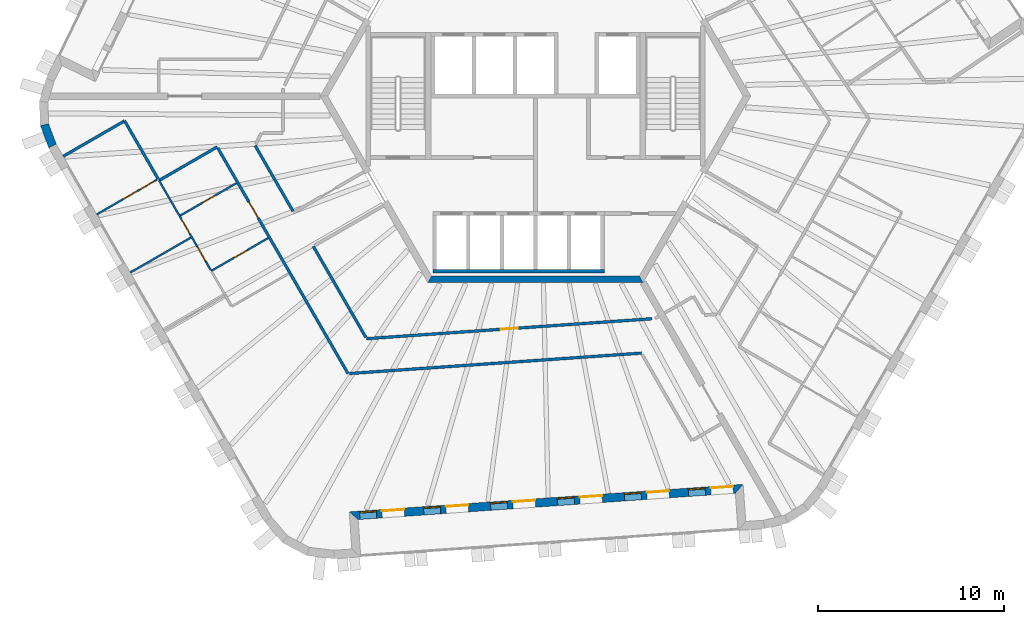
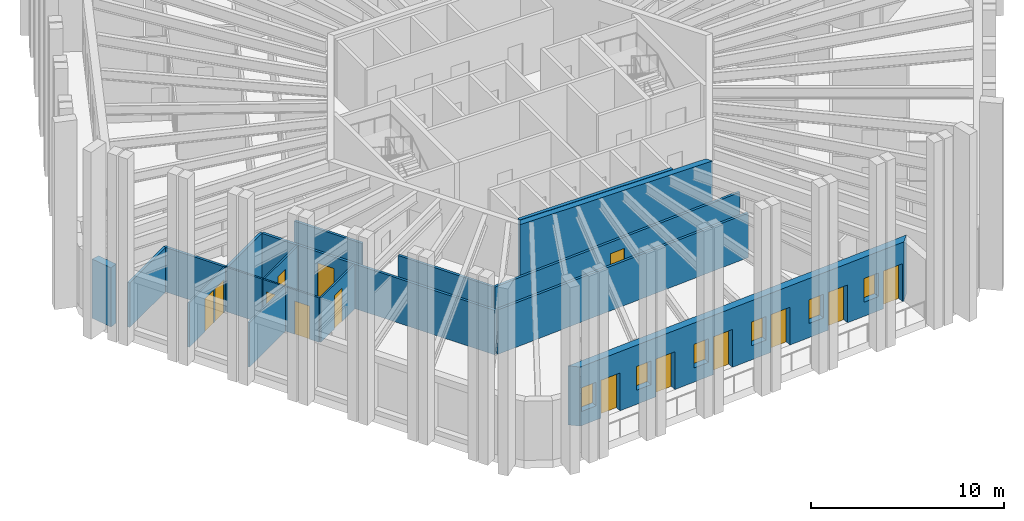
# One storey, part 3 of 12: 18 walls, 14 doors, 6 windows, 20 openings.
"""IFC4 building model written with IfcOpenShell, lengths in metres."""

from ifc_helpers import new_model, si_unit, direction, frame, frame_2d, origin, place, context, subcontext, project, spatial, polyline, rectangle, outline, extrude, material, layer, layer_set, type_object, element, fill, save


model = new_model("IFC4")

# Units and contexts
model_context = context("Model", 3, precision=1e-05, world=origin(), true_north=direction((0.0, 1.0)))
body_context = subcontext(model_context, "Body", "Model", "MODEL_VIEW")
ifc_project = project(units=[si_unit("LENGTHUNIT", "METRE"), si_unit("AREAUNIT", "SQUARE_METRE"), si_unit("VOLUMEUNIT", "CUBIC_METRE"), si_unit("PLANEANGLEUNIT", "RADIAN"), si_unit("MASSUNIT", "GRAM", prefix="KILO")], contexts=[model_context])

# Site, building, storey
site_placement = place(None, origin())
site = spatial("IfcSite", under=ifc_project, at=site_placement, CompositionType="ELEMENT")
building_placement = place(site_placement, origin())
building = spatial("IfcBuilding", under=site, at=building_placement, Name="Tarnside Tower", CompositionType="ELEMENT")
storey_placement = place(building_placement, frame((0.0, 0.0, 349.5)))
storey = spatial("IfcBuildingStorey", under=building, at=storey_placement, Name="L84", CompositionType="ELEMENT", Elevation=349.5)

# Wall, opening, door
ifc_material_1 = material(Name="Gypsum board partition on steel studs", Category="steel")
ifc_layer_1 = layer(ifc_material_1, 0.10009765625)
ifc_layer_set_1 = layer_set([ifc_layer_1], Name="Bathroom wall 100")
wall_type_1 = type_object("IfcWallType", Name="Bathroom wall 100", PredefinedType="PARTITIONING", material=ifc_layer_set_1)
wall_1_placement = place(storey_placement, frame((-16.03857421875, -4.67041015625, 0.0), z_axis=(0.0, 0.0, 1.0), x_axis=(-0.866031034943, -0.499990246421, 0.0)))
wall_1 = element("IfcWall", 1, at=wall_1_placement, inside=storey, type_object=wall_type_1, Name="Bathroom wall 27096", PredefinedType="PARTITIONING", context=body_context, shape_type="SweptSolid", body=[
    extrude(rectangle(XDim=3.52490234375, YDim=0.10009765625, at=frame_2d((1.762451171875, 0.0))), origin(), (0.0, 0.0, 1.0), 2.820068359375),
])
opening_1_placement = place(wall_1_placement, frame((1.324951171875, 0.0, 0.0)))
opening_1 = element("IfcOpeningElement", 2, at=opening_1_placement, cuts=wall_1, Name="Opening D-B1", PredefinedType="OPENING", context=body_context, shape_type="SweptSolid", body=[
    extrude(rectangle(XDim=0.800048828125, YDim=2.10009765625, at=frame_2d((0.39990234375, 1.050048828125))), frame((0.0, 0.06005859375, 0.0), z_axis=(0.0, -1.0, 0.0), x_axis=(1.0, 0.0, 0.0)), (0.0, 0.0, 1.0), 0.1201171875),
])
ifc_material_2 = material(Name="Timber door leaf", Category="wood")
door_type_1 = type_object("IfcDoorType", Name="Bathroom door 800", OperationType="NOTDEFINED", PredefinedType="DOOR", material=ifc_material_2)
door_1_placement = place(opening_1_placement, origin())
door_1 = element("IfcDoor", 3, at=door_1_placement, inside=storey, type_object=door_type_1, Name="Bathroom door 27023", OperationType="SINGLE_SWING_RIGHT", OverallHeight=2.10009765625, OverallWidth=0.800048828125, PredefinedType="DOOR", context=body_context, shape_type="SweptSolid", body=[
    extrude(rectangle(XDim=0.800048828125, YDim=2.10009765625, at=frame_2d((0.39990234375, 1.050048828125))), frame((0.0, 0.02490234375, 0.0), z_axis=(0.0, -1.0, 0.0), x_axis=(1.0, 0.0, 0.0)), (0.0, 0.0, 1.0), 0.050048828125),
])
fill(opening_1, door_1)

wall_2_placement = place(storey_placement, frame((-17.391357421875, -9.37744140625, 0.0), z_axis=(0.0, 0.0, 1.0), x_axis=(0.866001044215, 0.500042189638, 0.0)))
wall_2 = element("IfcWall", 4, at=wall_2_placement, inside=storey, type_object=wall_type_1, Name="Bathroom wall 27099", PredefinedType="PARTITIONING", context=body_context, shape_type="SweptSolid", body=[
    extrude(rectangle(XDim=3.525146484375, YDim=0.10009765625, at=frame_2d((1.7626953125, 0.0))), origin(), (0.0, 0.0, 1.0), 2.820068359375),
])
opening_2_placement = place(wall_2_placement, frame((1.39990234375, 0.0, 0.0)))
opening_2 = element("IfcOpeningElement", 5, at=opening_2_placement, cuts=wall_2, Name="Opening D-B1", PredefinedType="OPENING", context=body_context, shape_type="SweptSolid", body=[
    extrude(rectangle(XDim=0.800048828125, YDim=2.10009765625, at=frame_2d((0.39990234375, 1.050048828125))), frame((0.0, 0.06005859375, 0.0), z_axis=(0.0, -1.0, 0.0), x_axis=(1.0, 0.0, 0.0)), (0.0, 0.0, 1.0), 0.1201171875),
])
door_2_placement = place(opening_2_placement, origin())
door_2 = element("IfcDoor", 6, at=door_2_placement, inside=storey, type_object=door_type_1, Name="Bathroom door 27034", OperationType="SINGLE_SWING_LEFT", OverallHeight=2.10009765625, OverallWidth=0.800048828125, PredefinedType="DOOR", context=body_context, shape_type="SweptSolid", body=[
    extrude(rectangle(XDim=0.800048828125, YDim=2.10009765625, at=frame_2d((0.39990234375, 1.050048828125))), frame((0.0, 0.02490234375, 0.0), z_axis=(0.0, -1.0, 0.0), x_axis=(1.0, 0.0, 0.0)), (0.0, 0.0, 1.0), 0.050048828125),
])
fill(opening_2, door_2)

# Walls
wall_3_placement = place(storey_placement, frame((-20.1923828125, -4.52587890625, 0.0), z_axis=(0.0, 0.0, 1.0), x_axis=(0.500039660922, -0.86600250433, 0.0)))
element("IfcWall", 7, at=wall_3_placement, inside=storey, type_object=wall_type_1, Name="Bathroom wall 27100", PredefinedType="PARTITIONING", context=body_context, shape_type="SweptSolid", body=[
    extrude(rectangle(XDim=2.154052734375, YDim=0.10009765625, at=frame_2d((1.0771484375, 0.0))), origin(), (0.0, 0.0, 1.0), 2.820068359375),
])
ifc_material_3 = material(Name="Concrete C50/60", Category="concrete")
ifc_layer_2 = layer(ifc_material_3, 0.35009765625)
ifc_layer_set_2 = layer_set([ifc_layer_2], Name="Core wall Z4 350 C50/60")
wall_type_2 = type_object("IfcWallType", Name="Core wall Z4 350 C50/60", PredefinedType="SHEAR", material=ifc_layer_set_2)
wall_4_placement = place(storey_placement, frame((-5.672607421875, -9.824951171875, 0.0), z_axis=(0.0, 0.0, 1.0), x_axis=(1.0, 0.0, 0.0)))
element("IfcWall", 8, at=wall_4_placement, inside=storey, type_object=wall_type_2, Name="L84 core wall face 4", PredefinedType="SHEAR", context=body_context, shape_type="SweptSolid", body=[
    extrude(outline(polyline([(-0.10107421875, -0.175048828125), (11.4462890625, -0.175048828125), (11.244140625, 0.175048828125), (0.10107421875, 0.175048828125), (-0.10107421875, -0.175048828125)])), origin(), (0.0, 0.0, 1.0), 3.75),
])

# Wall, opening, door
ifc_layer_3 = layer(ifc_material_1, 0.14990234375)
ifc_layer_set_3 = layer_set([ifc_layer_3], Name="Corridor wall 150 EI 60")
wall_type_3 = type_object("IfcWallType", Name="Corridor wall 150 EI 60", PredefinedType="PARTITIONING", material=ifc_layer_set_3)
wall_5_placement = place(storey_placement, frame((-17.0361328125, -2.79248046875, 0.0), z_axis=(0.0, 0.0, 1.0), x_axis=(0.500006428338, -0.86602169235, 0.0)))
wall_5 = element("IfcWall", 9, at=wall_5_placement, inside=storey, type_object=wall_type_3, Name="Corridor wall 27024", PredefinedType="PARTITIONING", context=body_context, shape_type="SweptSolid", body=[
    extrude(rectangle(XDim=13.966064453125, YDim=0.14990234375, at=frame_2d((6.98291015625, 0.0))), origin(), (0.0, 0.0, 1.0), 2.820068359375),
])
opening_3_placement = place(wall_5_placement, frame((3.324951171875, 0.0, 0.0)))
opening_3 = element("IfcOpeningElement", 10, at=opening_3_placement, cuts=wall_5, Name="Opening D-E1", PredefinedType="OPENING", context=body_context, shape_type="SweptSolid", body=[
    extrude(rectangle(XDim=1.0, YDim=2.10009765625, at=frame_2d((0.5, 1.050048828125))), frame((0.0, 0.0849609375, 0.0), z_axis=(0.0, -1.0, 0.0), x_axis=(1.0, 0.0, 0.0)), (0.0, 0.0, 1.0), 0.169921875),
])
door_type_2 = type_object("IfcDoorType", Name="Unit entrance door 1000 FD30S", OperationType="NOTDEFINED", PredefinedType="DOOR", material=ifc_material_2)
door_3_placement = place(opening_3_placement, origin())
door_3 = element("IfcDoor", 11, at=door_3_placement, inside=storey, type_object=door_type_2, Name="Unit door 27022", OperationType="SINGLE_SWING_RIGHT", OverallHeight=2.10009765625, OverallWidth=1.0, PredefinedType="DOOR", context=body_context, shape_type="SweptSolid", body=[
    extrude(rectangle(XDim=1.0, YDim=2.10009765625, at=frame_2d((0.5, 1.050048828125))), frame((0.0, 0.02490234375, 0.0), z_axis=(0.0, -1.0, 0.0), x_axis=(1.0, 0.0, 0.0)), (0.0, 0.0, 1.0), 0.050048828125),
])
fill(opening_3, door_3)

# Walls
wall_6_placement = place(storey_placement, frame((-9.9697265625, -14.881591796875, 0.0), z_axis=(0.0, 0.0, 1.0), x_axis=(0.997564384496, 0.06975169378, 0.0)))
element("IfcWall", 12, at=wall_6_placement, inside=storey, type_object=wall_type_3, Name="Corridor wall 27025", PredefinedType="PARTITIONING", context=body_context, shape_type="SweptSolid", body=[
    extrude(rectangle(XDim=15.687744140625, YDim=0.14990234375, at=frame_2d((7.84375, 0.0))), origin(), (0.0, 0.0, 1.0), 2.820068359375),
])
wall_7_placement = place(storey_placement, frame((-20.19140625, -4.527587890625, 0.0), z_axis=(0.0, 0.0, 1.0), x_axis=(0.866018442252, 0.500012057535, 0.0)))
element("IfcWall", 13, at=wall_7_placement, inside=storey, type_object=wall_type_3, Name="Corridor wall 27029", PredefinedType="PARTITIONING", context=body_context, shape_type="SweptSolid", body=[
    extrude(rectangle(XDim=3.60009765625, YDim=0.14990234375, at=frame_2d((1.800048828125, 0.0))), origin(), (0.0, 0.0, 1.0), 2.820068359375),
])
wall_8_placement = place(storey_placement, frame((-25.3291015625, -3.228759765625, 0.0), z_axis=(0.0, 0.0, 1.0), x_axis=(0.866019695343, 0.500009887181, 0.0)))
element("IfcWall", 14, at=wall_8_placement, inside=storey, type_object=wall_type_3, Name="Corridor wall 27031", PredefinedType="PARTITIONING", context=body_context, shape_type="SweptSolid", body=[
    extrude(rectangle(XDim=3.798828125, YDim=0.14990234375, at=frame_2d((1.8994140625, 0.0))), origin(), (0.0, 0.0, 1.0), 2.820068359375),
])
wall_9_placement = place(storey_placement, frame((-22.03759765625, -1.329833984375, 0.0), z_axis=(0.0, 0.0, 1.0), x_axis=(0.499976924066, -0.866038726271, 0.0)))
element("IfcWall", 15, at=wall_9_placement, inside=storey, type_object=wall_type_3, Name="Corridor wall 27032", PredefinedType="PARTITIONING", context=body_context, shape_type="SweptSolid", body=[
    extrude(rectangle(XDim=3.598876953125, YDim=0.14990234375, at=frame_2d((1.79931640625, 0.0))), origin(), (0.0, 0.0, 1.0), 2.820068359375),
])
wall_10_placement = place(storey_placement, frame((-13.00439453125, -6.17578125, 0.0), z_axis=(0.0, 0.0, 1.0), x_axis=(-0.500022342669, 0.866012503854, 0.0)))
element("IfcWall", 16, at=wall_10_placement, inside=storey, type_object=wall_type_3, Name="Corridor wall 27035", PredefinedType="PARTITIONING", context=body_context, shape_type="SweptSolid", body=[
    extrude(rectangle(XDim=4.063720703125, YDim=0.14990234375, at=frame_2d((2.03173828125, 0.0))), origin(), (0.0, 0.0, 1.0), 2.820068359375),
])

# Wall, opening, door
wall_11_placement = place(storey_placement, frame((6.24462890625, -11.943603515625, 0.0), z_axis=(0.0, 0.0, 1.0), x_axis=(-0.997564707029, -0.069747080866, 0.0)))
wall_11 = element("IfcWall", 17, at=wall_11_placement, inside=storey, type_object=wall_type_3, Name="Corridor wall 27040", PredefinedType="PARTITIONING", context=body_context, shape_type="SweptSolid", body=[
    extrude(rectangle(XDim=15.338623046875, YDim=0.14990234375, at=frame_2d((7.66943359375, 0.0))), origin(), (0.0, 0.0, 1.0), 2.820068359375),
])
opening_4_placement = place(wall_11_placement, frame((7.21923828125, 0.0, 0.0)))
opening_4 = element("IfcOpeningElement", 18, at=opening_4_placement, cuts=wall_11, Name="Opening D-S1", PredefinedType="OPENING", context=body_context, shape_type="SweptSolid", body=[
    extrude(rectangle(XDim=0.89990234375, YDim=2.10009765625, at=frame_2d((0.449951171875, 1.050048828125))), frame((0.0, 0.0849609375, 0.0), z_axis=(0.0, -1.0, 0.0), x_axis=(1.0, 0.0, 0.0)), (0.0, 0.0, 1.0), 0.169921875),
])
door_type_3 = type_object("IfcDoorType", Name="Service room door 900 FD30S", OperationType="NOTDEFINED", PredefinedType="DOOR", material=ifc_material_2)
door_4_placement = place(opening_4_placement, origin())
door_4 = element("IfcDoor", 19, at=door_4_placement, inside=storey, type_object=door_type_3, Name="Service door 27062", OperationType="SINGLE_SWING_RIGHT", OverallHeight=2.10009765625, OverallWidth=0.89990234375, PredefinedType="DOOR", context=body_context, shape_type="SweptSolid", body=[
    extrude(rectangle(XDim=0.89990234375, YDim=2.10009765625, at=frame_2d((0.449951171875, 1.050048828125))), frame((0.0, 0.02490234375, 0.0), z_axis=(0.0, -1.0, 0.0), x_axis=(1.0, 0.0, 0.0)), (0.0, 0.0, 1.0), 0.050048828125),
])
fill(opening_4, door_4)

# Walls
wall_12_placement = place(storey_placement, frame((-9.098388671875, -12.941162109375, 0.0), z_axis=(0.0, 0.0, 1.0), x_axis=(-0.500009875128, 0.866019702301, 0.0)))
element("IfcWall", 20, at=wall_12_placement, inside=storey, type_object=wall_type_3, Name="Corridor wall 27041", PredefinedType="PARTITIONING", context=body_context, shape_type="SweptSolid", body=[
    extrude(rectangle(XDim=5.63720703125, YDim=0.14990234375, at=frame_2d((2.818603515625, 0.0))), origin(), (0.0, 0.0, 1.0), 2.820068359375),
])
ifc_material_4 = material(Name="Concrete C40/50", Category="concrete")
ifc_layer_4 = layer(ifc_material_4, 0.199951171875)
ifc_layer_set_4 = layer_set([ifc_layer_4], Name="Lift shaft wall 200 C40/50")
wall_type_4 = type_object("IfcWallType", Name="Lift shaft wall 200 C40/50", PredefinedType="SHEAR", material=ifc_layer_set_4)
wall_13_placement = place(storey_placement, frame((-5.5, -9.39990234375, -0.5), z_axis=(0.0, 0.0, 1.0), x_axis=(1.0, 0.0, 0.0)))
element("IfcWall", 21, at=wall_13_placement, inside=storey, type_object=wall_type_4, Name="L84 lift shaft back wall R4", PredefinedType="SHEAR", context=body_context, shape_type="SweptSolid", body=[
    extrude(rectangle(XDim=9.199951171875, YDim=0.199951171875, at=frame_2d((4.60009765625, 0.0))), origin(), (0.0, 0.0, 1.0), 4.14990234375),
])

# Wall, openings, doors, windows
ifc_material_5 = material(Name="Dark zinc cladding")
ifc_layer_5 = layer(ifc_material_5, 0.10205078125)
ifc_material_6 = material(Name="Concrete C60/75 precast", Category="concrete")
ifc_layer_6 = layer(ifc_material_6, 0.248046875)
ifc_material_7 = material(Name="Mineral wool insulation")
ifc_layer_7 = layer(ifc_material_7, 0.10009765625)
ifc_layer_set_5 = layer_set([ifc_layer_5, ifc_layer_6, ifc_layer_7], Name="Loggia wall 450 zinc faced")
wall_type_5 = type_object("IfcWallType", Name="Loggia wall 450 zinc faced", PredefinedType="SOLIDWALL", material=ifc_layer_set_5)
wall_14_placement = place(storey_placement, frame((-9.7509765625, -22.510009765625, 0.0), z_axis=(0.0, 0.0, 1.0), x_axis=(0.997564460173, 0.06975061147, 0.0)))
wall_14 = element("IfcWall", 22, at=wall_14_placement, inside=storey, type_object=wall_type_5, Name="Tube wall L84 F4 back 18", PredefinedType="SOLIDWALL", context=body_context, shape_type="SweptSolid", body=[
    extrude(outline(polyline([(0.224853515625, -0.22509765625), (20.5068359375, -0.22509765625), (20.95654296875, 0.22509765625), (-0.224853515625, 0.22509765625), (0.224853515625, -0.22509765625)])), origin(), (0.0, 0.0, 1.0), 3.75),
])
opening_5_placement = place(wall_14_placement, frame((0.324951171875, 0.0, 0.89990234375)))
opening_5 = element("IfcOpeningElement", 23, at=opening_5_placement, cuts=wall_14, Name="Opening WL450", PredefinedType="OPENING", context=body_context, shape_type="SweptSolid", body=[
    extrude(rectangle(XDim=0.89990234375, YDim=1.5, at=frame_2d((0.449951171875, 0.75))), frame((0.0, 0.23486328125, 0.0), z_axis=(0.0, -1.0, 0.0), x_axis=(1.0, 0.0, 0.0)), (0.0, 0.0, 1.0), 0.469970703125),
])
opening_6_placement = place(wall_14_placement, frame((1.52490234375, 0.0, 0.0)))
opening_6 = element("IfcOpeningElement", 24, at=opening_6_placement, cuts=wall_14, Name="Opening DB450", PredefinedType="OPENING", context=body_context, shape_type="SweptSolid", body=[
    extrude(rectangle(XDim=1.199951171875, YDim=2.39990234375, at=frame_2d((0.60009765625, 1.199951171875))), frame((0.0, 0.23486328125, 0.0), z_axis=(0.0, -1.0, 0.0), x_axis=(1.0, 0.0, 0.0)), (0.0, 0.0, 1.0), 0.469970703125),
])
opening_7_placement = place(wall_14_placement, frame((3.765869140625, 0.0, 0.89990234375)))
opening_7 = element("IfcOpeningElement", 25, at=opening_7_placement, cuts=wall_14, Name="Opening WL450", PredefinedType="OPENING", context=body_context, shape_type="SweptSolid", body=[
    extrude(rectangle(XDim=0.89990234375, YDim=1.5, at=frame_2d((0.449951171875, 0.75))), frame((0.0, 0.23486328125, 0.0), z_axis=(0.0, -1.0, 0.0), x_axis=(1.0, 0.0, 0.0)), (0.0, 0.0, 1.0), 0.469970703125),
])
opening_8_placement = place(wall_14_placement, frame((4.9658203125, 0.0, 0.0)))
opening_8 = element("IfcOpeningElement", 26, at=opening_8_placement, cuts=wall_14, Name="Opening DB450", PredefinedType="OPENING", context=body_context, shape_type="SweptSolid", body=[
    extrude(rectangle(XDim=1.199951171875, YDim=2.39990234375, at=frame_2d((0.60009765625, 1.199951171875))), frame((0.0, 0.23486328125, 0.0), z_axis=(0.0, -1.0, 0.0), x_axis=(1.0, 0.0, 0.0)), (0.0, 0.0, 1.0), 0.469970703125),
])
opening_9_placement = place(wall_14_placement, frame((7.36572265625, 0.0, 0.89990234375)))
opening_9 = element("IfcOpeningElement", 27, at=opening_9_placement, cuts=wall_14, Name="Opening WL450", PredefinedType="OPENING", context=body_context, shape_type="SweptSolid", body=[
    extrude(rectangle(XDim=0.89990234375, YDim=1.5, at=frame_2d((0.449951171875, 0.75))), frame((0.0, 0.23486328125, 0.0), z_axis=(0.0, -1.0, 0.0), x_axis=(1.0, 0.0, 0.0)), (0.0, 0.0, 1.0), 0.469970703125),
])
opening_10_placement = place(wall_14_placement, frame((8.56591796875, 0.0, 0.0)))
opening_10 = element("IfcOpeningElement", 28, at=opening_10_placement, cuts=wall_14, Name="Opening DB450", PredefinedType="OPENING", context=body_context, shape_type="SweptSolid", body=[
    extrude(rectangle(XDim=1.199951171875, YDim=2.39990234375, at=frame_2d((0.60009765625, 1.199951171875))), frame((0.0, 0.23486328125, 0.0), z_axis=(0.0, -1.0, 0.0), x_axis=(1.0, 0.0, 0.0)), (0.0, 0.0, 1.0), 0.469970703125),
])
opening_11_placement = place(wall_14_placement, frame((10.9658203125, 0.0, 0.89990234375)))
opening_11 = element("IfcOpeningElement", 29, at=opening_11_placement, cuts=wall_14, Name="Opening WL450", PredefinedType="OPENING", context=body_context, shape_type="SweptSolid", body=[
    extrude(rectangle(XDim=0.89990234375, YDim=1.5, at=frame_2d((0.449951171875, 0.75))), frame((0.0, 0.23486328125, 0.0), z_axis=(0.0, -1.0, 0.0), x_axis=(1.0, 0.0, 0.0)), (0.0, 0.0, 1.0), 0.469970703125),
])
opening_12_placement = place(wall_14_placement, frame((12.165771484375, 0.0, 0.0)))
opening_12 = element("IfcOpeningElement", 30, at=opening_12_placement, cuts=wall_14, Name="Opening DB450", PredefinedType="OPENING", context=body_context, shape_type="SweptSolid", body=[
    extrude(rectangle(XDim=1.199951171875, YDim=2.39990234375, at=frame_2d((0.60009765625, 1.199951171875))), frame((0.0, 0.23486328125, 0.0), z_axis=(0.0, -1.0, 0.0), x_axis=(1.0, 0.0, 0.0)), (0.0, 0.0, 1.0), 0.469970703125),
])
opening_13_placement = place(wall_14_placement, frame((14.56591796875, 0.0, 0.89990234375)))
opening_13 = element("IfcOpeningElement", 31, at=opening_13_placement, cuts=wall_14, Name="Opening WL450", PredefinedType="OPENING", context=body_context, shape_type="SweptSolid", body=[
    extrude(rectangle(XDim=0.89990234375, YDim=1.5, at=frame_2d((0.449951171875, 0.75))), frame((0.0, 0.23486328125, 0.0), z_axis=(0.0, -1.0, 0.0), x_axis=(1.0, 0.0, 0.0)), (0.0, 0.0, 1.0), 0.469970703125),
])
opening_14_placement = place(wall_14_placement, frame((15.765869140625, 0.0, 0.0)))
opening_14 = element("IfcOpeningElement", 32, at=opening_14_placement, cuts=wall_14, Name="Opening DB450", PredefinedType="OPENING", context=body_context, shape_type="SweptSolid", body=[
    extrude(rectangle(XDim=1.199951171875, YDim=2.39990234375, at=frame_2d((0.60009765625, 1.199951171875))), frame((0.0, 0.23486328125, 0.0), z_axis=(0.0, -1.0, 0.0), x_axis=(1.0, 0.0, 0.0)), (0.0, 0.0, 1.0), 0.469970703125),
])
opening_15_placement = place(wall_14_placement, frame((18.006591796875, 0.0, 0.89990234375)))
opening_15 = element("IfcOpeningElement", 33, at=opening_15_placement, cuts=wall_14, Name="Opening WL450", PredefinedType="OPENING", context=body_context, shape_type="SweptSolid", body=[
    extrude(rectangle(XDim=0.89990234375, YDim=1.5, at=frame_2d((0.449951171875, 0.75))), frame((0.0, 0.23486328125, 0.0), z_axis=(0.0, -1.0, 0.0), x_axis=(1.0, 0.0, 0.0)), (0.0, 0.0, 1.0), 0.469970703125),
])
opening_16_placement = place(wall_14_placement, frame((19.20654296875, 0.0, 0.0)))
opening_16 = element("IfcOpeningElement", 34, at=opening_16_placement, cuts=wall_14, Name="Opening DB450", PredefinedType="OPENING", context=body_context, shape_type="SweptSolid", body=[
    extrude(rectangle(XDim=1.199951171875, YDim=2.39990234375, at=frame_2d((0.60009765625, 1.199951171875))), frame((0.0, 0.23486328125, 0.0), z_axis=(0.0, -1.0, 0.0), x_axis=(1.0, 0.0, 0.0)), (0.0, 0.0, 1.0), 0.469970703125),
])
ifc_material_8 = material(Name="Aluminium-framed double glazing", Category="aluminium")
door_type_4 = type_object("IfcDoorType", Name="Balcony sliding door 1200 x 2400 in 450 wall", OperationType="SLIDING_TO_LEFT", PredefinedType="DOOR", material=ifc_material_8)
door_5_placement = place(opening_6_placement, frame((0.0, 0.150146484375, 0.0)))
door_5 = element("IfcDoor", 35, at=door_5_placement, inside=storey, type_object=door_type_4, Name="E.BD.L84.F4.00", OperationType="SLIDING_TO_LEFT", OverallHeight=2.39990234375, OverallWidth=1.199951171875, PredefinedType="DOOR", context=body_context, shape_type="SweptSolid", body=[
    extrude(rectangle(XDim=1.199951171875, YDim=2.39990234375, at=frame_2d((0.60009765625, 1.199951171875))), frame((0.0, 0.02490234375, 0.0), z_axis=(0.0, -1.0, 0.0), x_axis=(1.0, 0.0, 0.0)), (0.0, 0.0, 1.0), 0.050048828125),
])
fill(opening_6, door_5)
door_6_placement = place(opening_8_placement, frame((0.0, 0.150146484375, 0.0)))
door_6 = element("IfcDoor", 36, at=door_6_placement, inside=storey, type_object=door_type_4, Name="E.BD.L84.F4.01", OperationType="SLIDING_TO_LEFT", OverallHeight=2.39990234375, OverallWidth=1.199951171875, PredefinedType="DOOR", context=body_context, shape_type="SweptSolid", body=[
    extrude(rectangle(XDim=1.199951171875, YDim=2.39990234375, at=frame_2d((0.60009765625, 1.199951171875))), frame((0.0, 0.02490234375, 0.0), z_axis=(0.0, -1.0, 0.0), x_axis=(1.0, 0.0, 0.0)), (0.0, 0.0, 1.0), 0.050048828125),
])
fill(opening_8, door_6)
door_7_placement = place(opening_10_placement, frame((0.0, 0.150146484375, 0.0)))
door_7 = element("IfcDoor", 37, at=door_7_placement, inside=storey, type_object=door_type_4, Name="E.BD.L84.F4.02", OperationType="SLIDING_TO_LEFT", OverallHeight=2.39990234375, OverallWidth=1.199951171875, PredefinedType="DOOR", context=body_context, shape_type="SweptSolid", body=[
    extrude(rectangle(XDim=1.199951171875, YDim=2.39990234375, at=frame_2d((0.60009765625, 1.199951171875))), frame((0.0, 0.02490234375, 0.0), z_axis=(0.0, -1.0, 0.0), x_axis=(1.0, 0.0, 0.0)), (0.0, 0.0, 1.0), 0.050048828125),
])
fill(opening_10, door_7)
door_8_placement = place(opening_12_placement, frame((0.0, 0.150146484375, 0.0)))
door_8 = element("IfcDoor", 38, at=door_8_placement, inside=storey, type_object=door_type_4, Name="E.BD.L84.F4.03", OperationType="SLIDING_TO_LEFT", OverallHeight=2.39990234375, OverallWidth=1.199951171875, PredefinedType="DOOR", context=body_context, shape_type="SweptSolid", body=[
    extrude(rectangle(XDim=1.199951171875, YDim=2.39990234375, at=frame_2d((0.60009765625, 1.199951171875))), frame((0.0, 0.02490234375, 0.0), z_axis=(0.0, -1.0, 0.0), x_axis=(1.0, 0.0, 0.0)), (0.0, 0.0, 1.0), 0.050048828125),
])
fill(opening_12, door_8)
door_9_placement = place(opening_14_placement, frame((0.0, 0.150146484375, 0.0)))
door_9 = element("IfcDoor", 39, at=door_9_placement, inside=storey, type_object=door_type_4, Name="E.BD.L84.F4.04", OperationType="SLIDING_TO_LEFT", OverallHeight=2.39990234375, OverallWidth=1.199951171875, PredefinedType="DOOR", context=body_context, shape_type="SweptSolid", body=[
    extrude(rectangle(XDim=1.199951171875, YDim=2.39990234375, at=frame_2d((0.60009765625, 1.199951171875))), frame((0.0, 0.02490234375, 0.0), z_axis=(0.0, -1.0, 0.0), x_axis=(1.0, 0.0, 0.0)), (0.0, 0.0, 1.0), 0.050048828125),
])
fill(opening_14, door_9)
door_10_placement = place(opening_16_placement, frame((0.0, 0.150146484375, 0.0)))
door_10 = element("IfcDoor", 40, at=door_10_placement, inside=storey, type_object=door_type_4, Name="E.BD.L84.F4.05", OperationType="SLIDING_TO_LEFT", OverallHeight=2.39990234375, OverallWidth=1.199951171875, PredefinedType="DOOR", context=body_context, shape_type="SweptSolid", body=[
    extrude(rectangle(XDim=1.199951171875, YDim=2.39990234375, at=frame_2d((0.60009765625, 1.199951171875))), frame((0.0, 0.02490234375, 0.0), z_axis=(0.0, -1.0, 0.0), x_axis=(1.0, 0.0, 0.0)), (0.0, 0.0, 1.0), 0.050048828125),
])
fill(opening_16, door_10)
window_type = type_object("IfcWindowType", Name="Loggia window 900 x 1500 in 450 wall", PartitioningType="SINGLE_PANEL", PredefinedType="WINDOW", material=ifc_material_8)
window_1_placement = place(opening_5_placement, frame((0.0, 0.1552734375, 0.0)))
window_1 = element("IfcWindow", 41, at=window_1_placement, inside=storey, type_object=window_type, Name="E.LW.L84.F4.00", OverallHeight=1.5, OverallWidth=0.89990234375, PartitioningType="SINGLE_PANEL", PredefinedType="WINDOW", context=body_context, shape_type="SweptSolid", body=[
    extrude(rectangle(XDim=0.89990234375, YDim=1.5, at=frame_2d((0.449951171875, 0.75))), frame((0.0, 0.030029296875, 0.0), z_axis=(0.0, -1.0, 0.0), x_axis=(1.0, 0.0, 0.0)), (0.0, 0.0, 1.0), 0.06005859375),
])
fill(opening_5, window_1)
window_2_placement = place(opening_7_placement, frame((0.0, 0.1552734375, 0.0)))
window_2 = element("IfcWindow", 42, at=window_2_placement, inside=storey, type_object=window_type, Name="E.LW.L84.F4.01", OverallHeight=1.5, OverallWidth=0.89990234375, PartitioningType="SINGLE_PANEL", PredefinedType="WINDOW", context=body_context, shape_type="SweptSolid", body=[
    extrude(rectangle(XDim=0.89990234375, YDim=1.5, at=frame_2d((0.449951171875, 0.75))), frame((0.0, 0.030029296875, 0.0), z_axis=(0.0, -1.0, 0.0), x_axis=(1.0, 0.0, 0.0)), (0.0, 0.0, 1.0), 0.06005859375),
])
fill(opening_7, window_2)
window_3_placement = place(opening_9_placement, frame((0.0, 0.1552734375, 0.0)))
window_3 = element("IfcWindow", 43, at=window_3_placement, inside=storey, type_object=window_type, Name="E.LW.L84.F4.02", OverallHeight=1.5, OverallWidth=0.89990234375, PartitioningType="SINGLE_PANEL", PredefinedType="WINDOW", context=body_context, shape_type="SweptSolid", body=[
    extrude(rectangle(XDim=0.89990234375, YDim=1.5, at=frame_2d((0.449951171875, 0.75))), frame((0.0, 0.030029296875, 0.0), z_axis=(0.0, -1.0, 0.0), x_axis=(1.0, 0.0, 0.0)), (0.0, 0.0, 1.0), 0.06005859375),
])
fill(opening_9, window_3)
window_4_placement = place(opening_11_placement, frame((0.0, 0.1552734375, 0.0)))
window_4 = element("IfcWindow", 44, at=window_4_placement, inside=storey, type_object=window_type, Name="E.LW.L84.F4.03", OverallHeight=1.5, OverallWidth=0.89990234375, PartitioningType="SINGLE_PANEL", PredefinedType="WINDOW", context=body_context, shape_type="SweptSolid", body=[
    extrude(rectangle(XDim=0.89990234375, YDim=1.5, at=frame_2d((0.449951171875, 0.75))), frame((0.0, 0.030029296875, 0.0), z_axis=(0.0, -1.0, 0.0), x_axis=(1.0, 0.0, 0.0)), (0.0, 0.0, 1.0), 0.06005859375),
])
fill(opening_11, window_4)
window_5_placement = place(opening_13_placement, frame((0.0, 0.1552734375, 0.0)))
window_5 = element("IfcWindow", 45, at=window_5_placement, inside=storey, type_object=window_type, Name="E.LW.L84.F4.04", OverallHeight=1.5, OverallWidth=0.89990234375, PartitioningType="SINGLE_PANEL", PredefinedType="WINDOW", context=body_context, shape_type="SweptSolid", body=[
    extrude(rectangle(XDim=0.89990234375, YDim=1.5, at=frame_2d((0.449951171875, 0.75))), frame((0.0, 0.030029296875, 0.0), z_axis=(0.0, -1.0, 0.0), x_axis=(1.0, 0.0, 0.0)), (0.0, 0.0, 1.0), 0.06005859375),
])
fill(opening_13, window_5)
window_6_placement = place(opening_15_placement, frame((0.0, 0.1552734375, 0.0)))
window_6 = element("IfcWindow", 46, at=window_6_placement, inside=storey, type_object=window_type, Name="E.LW.L84.F4.05", OverallHeight=1.5, OverallWidth=0.89990234375, PartitioningType="SINGLE_PANEL", PredefinedType="WINDOW", context=body_context, shape_type="SweptSolid", body=[
    extrude(rectangle(XDim=0.89990234375, YDim=1.5, at=frame_2d((0.449951171875, 0.75))), frame((0.0, 0.030029296875, 0.0), z_axis=(0.0, -1.0, 0.0), x_axis=(1.0, 0.0, 0.0)), (0.0, 0.0, 1.0), 0.06005859375),
])
fill(opening_15, window_6)

# Wall, openings, doors
ifc_layer_8 = layer(ifc_material_1, 0.10009765625)
ifc_layer_set_6 = layer_set([ifc_layer_8], Name="Partition 100")
wall_type_6 = type_object("IfcWallType", Name="Partition 100", PredefinedType="PARTITIONING", material=ifc_layer_set_6)
wall_15_placement = place(storey_placement, frame((-19.09228515625, -6.43115234375, 0.0), z_axis=(0.0, 0.0, 1.0), x_axis=(0.500014404596, -0.866017087127, 0.0)))
wall_15 = element("IfcWall", 47, at=wall_15_placement, inside=storey, type_object=wall_type_6, Name="Partition wall 27097", PredefinedType="PARTITIONING", context=body_context, shape_type="SweptSolid", body=[
    extrude(rectangle(XDim=3.35400390625, YDim=0.10009765625, at=frame_2d((1.677001953125, 0.0))), origin(), (0.0, 0.0, 1.0), 2.820068359375),
])
opening_17_placement = place(wall_15_placement, frame((0.208251953125, 0.0, 0.0)))
opening_17 = element("IfcOpeningElement", 48, at=opening_17_placement, cuts=wall_15, Name="Opening D-I1", PredefinedType="OPENING", context=body_context, shape_type="SweptSolid", body=[
    extrude(rectangle(XDim=0.89990234375, YDim=2.10009765625, at=frame_2d((0.449951171875, 1.050048828125))), frame((0.0, 0.06005859375, 0.0), z_axis=(0.0, -1.0, 0.0), x_axis=(1.0, 0.0, 0.0)), (0.0, 0.0, 1.0), 0.1201171875),
])
opening_18_placement = place(wall_15_placement, frame((1.905029296875, 0.0, 0.0)))
opening_18 = element("IfcOpeningElement", 49, at=opening_18_placement, cuts=wall_15, Name="Opening D-I1", PredefinedType="OPENING", context=body_context, shape_type="SweptSolid", body=[
    extrude(rectangle(XDim=0.89990234375, YDim=2.10009765625, at=frame_2d((0.449951171875, 1.050048828125))), frame((0.0, 0.06005859375, 0.0), z_axis=(0.0, -1.0, 0.0), x_axis=(1.0, 0.0, 0.0)), (0.0, 0.0, 1.0), 0.1201171875),
])
door_type_5 = type_object("IfcDoorType", Name="Internal door 900", OperationType="NOTDEFINED", PredefinedType="DOOR", material=ifc_material_2)
door_11_placement = place(opening_17_placement, origin())
door_11 = element("IfcDoor", 50, at=door_11_placement, inside=storey, type_object=door_type_5, Name="Internal door 27026", OperationType="SINGLE_SWING_LEFT", OverallHeight=2.10009765625, OverallWidth=0.89990234375, PredefinedType="DOOR", context=body_context, shape_type="SweptSolid", body=[
    extrude(rectangle(XDim=0.89990234375, YDim=2.10009765625, at=frame_2d((0.449951171875, 1.050048828125))), frame((0.0, 0.02490234375, 0.0), z_axis=(0.0, -1.0, 0.0), x_axis=(1.0, 0.0, 0.0)), (0.0, 0.0, 1.0), 0.050048828125),
])
fill(opening_17, door_11)
door_12_placement = place(opening_18_placement, origin())
door_12 = element("IfcDoor", 51, at=door_12_placement, inside=storey, type_object=door_type_5, Name="Internal door 27033", OperationType="SINGLE_SWING_LEFT", OverallHeight=2.10009765625, OverallWidth=0.89990234375, PredefinedType="DOOR", context=body_context, shape_type="SweptSolid", body=[
    extrude(rectangle(XDim=0.89990234375, YDim=2.10009765625, at=frame_2d((0.449951171875, 1.050048828125))), frame((0.0, 0.02490234375, 0.0), z_axis=(0.0, -1.0, 0.0), x_axis=(1.0, 0.0, 0.0)), (0.0, 0.0, 1.0), 0.050048828125),
])
fill(opening_18, door_12)

wall_16_placement = place(storey_placement, frame((-23.529052734375, -6.346435546875, 0.0), z_axis=(0.0, 0.0, 1.0), x_axis=(0.866012039196, 0.500023147432, 0.0)))
wall_16 = element("IfcWall", 52, at=wall_16_placement, inside=storey, type_object=wall_type_6, Name="Partition wall 27101", PredefinedType="PARTITIONING", context=body_context, shape_type="SweptSolid", body=[
    extrude(rectangle(XDim=3.724853515625, YDim=0.10009765625, at=frame_2d((1.8623046875, 0.0))), origin(), (0.0, 0.0, 1.0), 2.820068359375),
])
opening_19_placement = place(wall_16_placement, frame((2.675048828125, 0.0, 0.0)))
opening_19 = element("IfcOpeningElement", 53, at=opening_19_placement, cuts=wall_16, Name="Opening D-I1", PredefinedType="OPENING", context=body_context, shape_type="SweptSolid", body=[
    extrude(rectangle(XDim=0.89990234375, YDim=2.10009765625, at=frame_2d((0.449951171875, 1.050048828125))), frame((0.0, 0.06005859375, 0.0), z_axis=(0.0, -1.0, 0.0), x_axis=(1.0, 0.0, 0.0)), (0.0, 0.0, 1.0), 0.1201171875),
])
opening_20_placement = place(wall_16_placement, frame((1.625, 0.0, 0.0)))
opening_20 = element("IfcOpeningElement", 54, at=opening_20_placement, cuts=wall_16, Name="Opening D-I1", PredefinedType="OPENING", context=body_context, shape_type="SweptSolid", body=[
    extrude(rectangle(XDim=0.89990234375, YDim=2.10009765625, at=frame_2d((0.449951171875, 1.050048828125))), frame((0.0, 0.06005859375, 0.0), z_axis=(0.0, -1.0, 0.0), x_axis=(1.0, 0.0, 0.0)), (0.0, 0.0, 1.0), 0.1201171875),
])
door_13_placement = place(opening_19_placement, origin())
door_13 = element("IfcDoor", 55, at=door_13_placement, inside=storey, type_object=door_type_5, Name="Internal door 27029", OperationType="SINGLE_SWING_RIGHT", OverallHeight=2.10009765625, OverallWidth=0.89990234375, PredefinedType="DOOR", context=body_context, shape_type="SweptSolid", body=[
    extrude(rectangle(XDim=0.89990234375, YDim=2.10009765625, at=frame_2d((0.449951171875, 1.050048828125))), frame((0.0, 0.02490234375, 0.0), z_axis=(0.0, -1.0, 0.0), x_axis=(1.0, 0.0, 0.0)), (0.0, 0.0, 1.0), 0.050048828125),
])
fill(opening_19, door_13)
door_14_placement = place(opening_20_placement, origin())
door_14 = element("IfcDoor", 56, at=door_14_placement, inside=storey, type_object=door_type_5, Name="Internal door 27032", OperationType="SINGLE_SWING_LEFT", OverallHeight=2.10009765625, OverallWidth=0.89990234375, PredefinedType="DOOR", context=body_context, shape_type="SweptSolid", body=[
    extrude(rectangle(XDim=0.89990234375, YDim=2.10009765625, at=frame_2d((0.449951171875, 1.050048828125))), frame((0.0, 0.02490234375, 0.0), z_axis=(0.0, -1.0, 0.0), x_axis=(1.0, 0.0, 0.0)), (0.0, 0.0, 1.0), 0.050048828125),
])
fill(opening_20, door_14)

# Walls
wall_17_placement = place(storey_placement, frame((-21.72900390625, -9.464111328125, 0.0), z_axis=(0.0, 0.0, 1.0), x_axis=(0.866022959057, 0.500004234368, 0.0)))
element("IfcWall", 57, at=wall_17_placement, inside=storey, type_object=wall_type_6, Name="Partition wall 27102", PredefinedType="PARTITIONING", context=body_context, shape_type="SweptSolid", body=[
    extrude(rectangle(XDim=3.75, YDim=0.10009765625, at=frame_2d((1.875, 0.0))), origin(), (0.0, 0.0, 1.0), 2.820068359375),
])
ifc_material_9 = material(Name="Facing brick", Category="masonry")
ifc_layer_9 = layer(ifc_material_9, 0.10205078125)
ifc_layer_10 = layer(ifc_material_6, 0.248046875)
ifc_layer_11 = layer(ifc_material_7, 0.10009765625)
ifc_layer_set_7 = layer_set([ifc_layer_9, ifc_layer_10, ifc_layer_11], Name="Tube wall 450 brick faced")
wall_type_7 = type_object("IfcWallType", Name="Tube wall 450 brick faced", PredefinedType="SOLIDWALL", material=ifc_layer_set_7)
wall_18_placement = place(storey_placement, frame((-26.339111328125, -1.532470703125, 0.0), z_axis=(0.0, 0.0, 1.0), x_axis=(0.353132996235, -0.935573132882, 0.0)))
element("IfcWall", 58, at=wall_18_placement, inside=storey, type_object=wall_type_7, Name="Tube wall L84 F2 chord 11", PredefinedType="SOLIDWALL", context=body_context, shape_type="SweptSolid", body=[
    extrude(outline(polyline([(-0.036865234375, -0.22509765625), (1.24267578125, -0.22509765625), (1.2060546875, 0.22509765625), (0.036865234375, 0.22509765625), (-0.036865234375, -0.22509765625)])), origin(), (0.0, 0.0, 1.0), 3.75),
])

save(model, "model.ifc")
